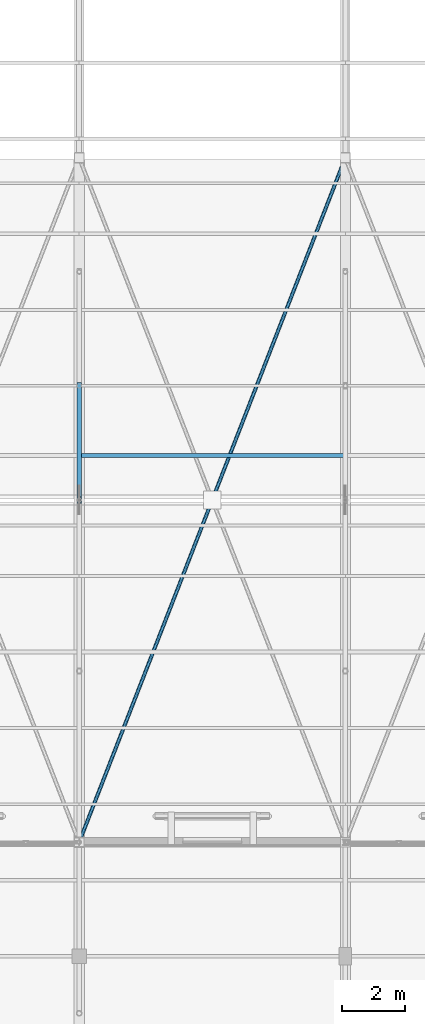
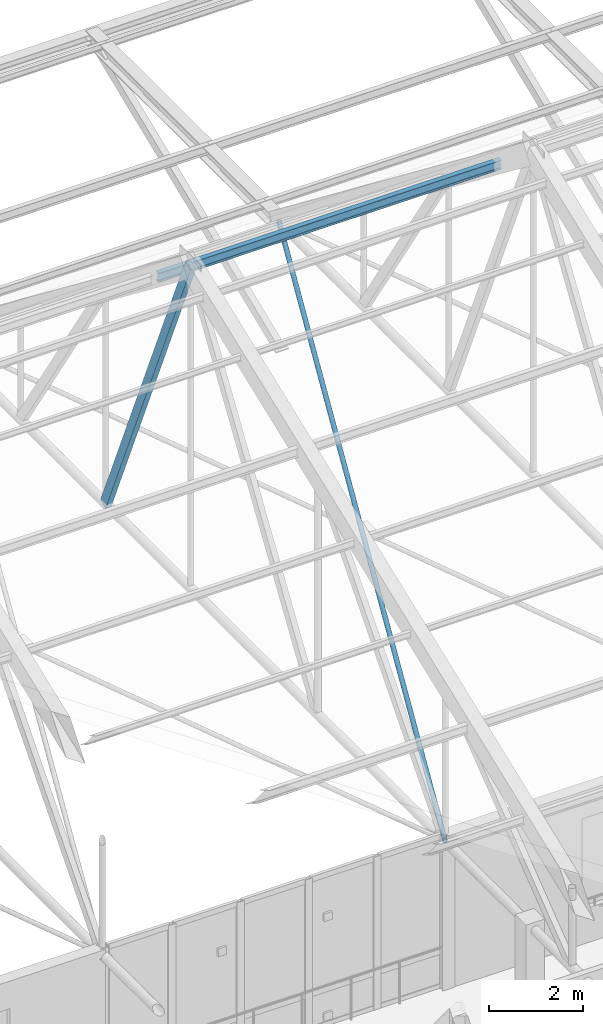
# One storey, part 119 of 217: 3 members.
"""IFC4 building model written with IfcOpenShell, lengths in metres."""

from ifc_helpers import new_model, si_unit, direction, frame, origin, origin_2d, place, context, subcontext, project, spatial, hollow_rectangle, hollow_circle, i_section, extrude, material, material_profile, profile_set, type_object, element, save


model = new_model("IFC4")

# Units and contexts
model_context = context("Model", 3, precision=1e-05, world=origin(), true_north=direction((0.0, 1.0)))
body_context = subcontext(model_context, "Body", "Model", "MODEL_VIEW")
ifc_project = project(units=[si_unit("LENGTHUNIT", "METRE"), si_unit("AREAUNIT", "SQUARE_METRE"), si_unit("VOLUMEUNIT", "CUBIC_METRE"), si_unit("PLANEANGLEUNIT", "RADIAN"), si_unit("MASSUNIT", "GRAM", prefix="KILO")], contexts=[model_context])

# Site, building, storey
site_placement = place(None, origin())
site = spatial("IfcSite", under=ifc_project, at=site_placement, CompositionType="ELEMENT")
building_placement = place(site_placement, origin())
building = spatial("IfcBuilding", under=site, at=building_placement, Name="Mazaris Harbour Polytechnic", CompositionType="ELEMENT")
storey_placement = place(building_placement, frame((0.0, 0.0, 9.60009765625)))
storey = spatial("IfcBuildingStorey", under=building, at=storey_placement, Name="L02", CompositionType="ELEMENT", Elevation=9.60009765625)

# Members
ifc_material_1 = material(Name="Steel S355", Category="steel")
ifc_material_profile_1 = material_profile(ifc_material_1, i_section(OverallWidth=0.1201171875, OverallDepth=0.239990234375, WebThickness=0.006103515625, FlangeThickness=0.009765625, FilletRadius=0.014892578125, at=origin_2d()), Name="IPE 240")
ifc_profile_set_1 = profile_set([ifc_material_profile_1], Name="Steel S355")
member_type_1 = type_object("IfcMemberType", Name="Steel Purlin IPE240", PredefinedType="PURLIN", material=ifc_profile_set_1)
member_1_placement = place(storey_placement, frame((79.199951171875, 98.60009765625, 10.9609375), z_axis=(1.0, 0.0, 0.0), x_axis=(0.0, 1.0, 0.0)))
element("IfcMember", 1, at=member_1_placement, inside=storey, type_object=member_type_1, Name="V1 Roof Purlin N-77", PredefinedType="PURLIN", context=body_context, shape_type="SweptSolid", body=[
    extrude(i_section(OverallWidth=0.1201171875, OverallDepth=0.239990234375, WebThickness=0.006103515625, FlangeThickness=0.009765625, FilletRadius=0.014892578125, at=origin_2d()), origin(), (0.0, 0.0, 1.0), 8.400146484375),
])
ifc_material_2 = material(Name="Steel S355", Category="steel")
ifc_material_profile_2 = material_profile(ifc_material_2, hollow_rectangle(XDim=0.139892578125, YDim=0.239990234375, WallThickness=0.010009765625, at=origin_2d()), Name="RHS 140x240x10.0")
ifc_profile_set_2 = profile_set([ifc_material_profile_2], Name="Steel S355")
member_type_2 = type_object("IfcMemberType", Name="Steel Truss Diagonal RHS140x240", PredefinedType="BRACE", material=ifc_profile_set_2)
member_2_placement = place(storey_placement, frame((79.199951171875, 100.800048828125, 3.75), z_axis=(0.0, -0.395924210908, 0.918283191187), x_axis=(1.0, 0.0, 0.0)))
element("IfcMember", 2, at=member_2_placement, inside=storey, type_object=member_type_2, Name="Truss 4 Web Diagonal N1", PredefinedType="BRACE", context=body_context, shape_type="SweptSolid", body=[
    extrude(hollow_rectangle(XDim=0.139892578125, YDim=0.239990234375, WallThickness=0.010009765625, at=origin_2d()), origin(), (0.0, 0.0, 1.0), 9.093017578125),
])
ifc_material_3 = material(Name="Steel S355", Category="steel")
ifc_material_profile_3 = material_profile(ifc_material_3, hollow_circle(Radius=0.05712890625, WallThickness=0.00634765625, at=origin_2d()), Name="CHS 114.3x6.3")
ifc_profile_set_3 = profile_set([ifc_material_profile_3], Name="Steel S355")
member_type_3 = type_object("IfcMemberType", Name="Steel Wind Brace CHS114", PredefinedType="BRACE", material=ifc_profile_set_3)
member_3_placement = place(storey_placement, frame((79.199951171875, 86.39990234375, 3.75), z_axis=(0.362450327975, 0.93200308999, 0.0), x_axis=(-0.93200308999, 0.362450327975, 0.0)))
element("IfcMember", 3, at=member_3_placement, inside=storey, type_object=member_type_3, Name="V1 Continuous Roof Wind Brace 4A", PredefinedType="BRACE", context=body_context, shape_type="SweptSolid", body=[
    extrude(hollow_circle(Radius=0.05712890625, WallThickness=0.00634765625, at=origin_2d()), origin(), (0.0, 0.0, 1.0), 23.176025390625),
])

save(model, "model.ifc")
